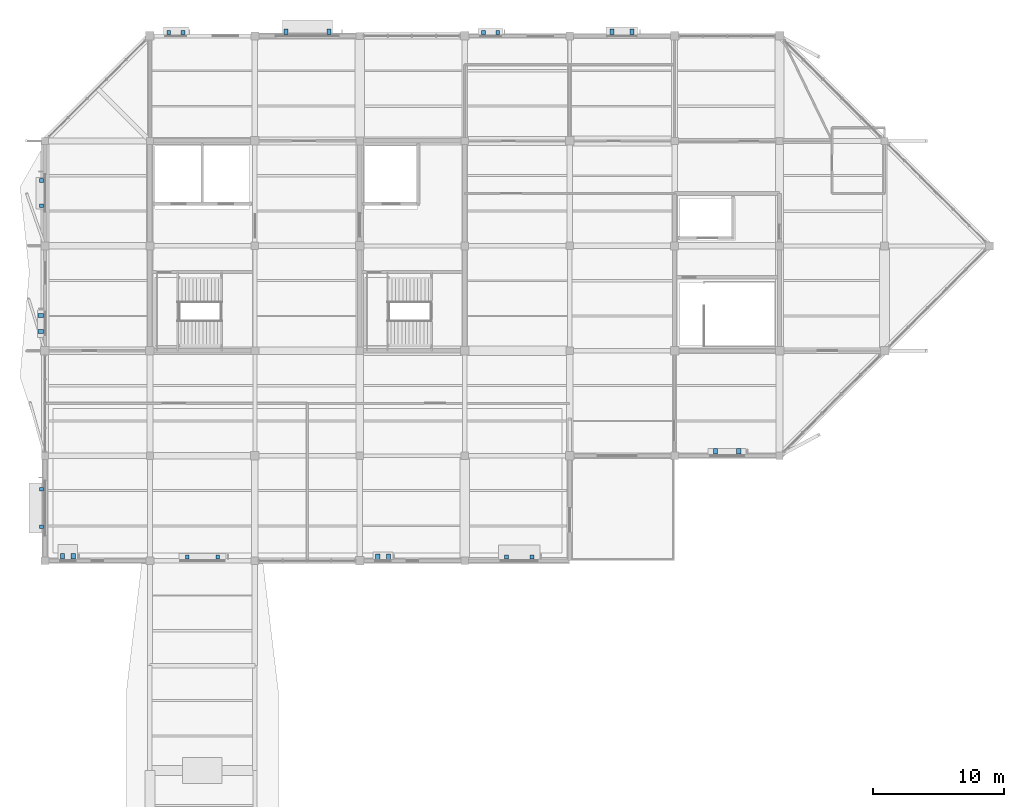
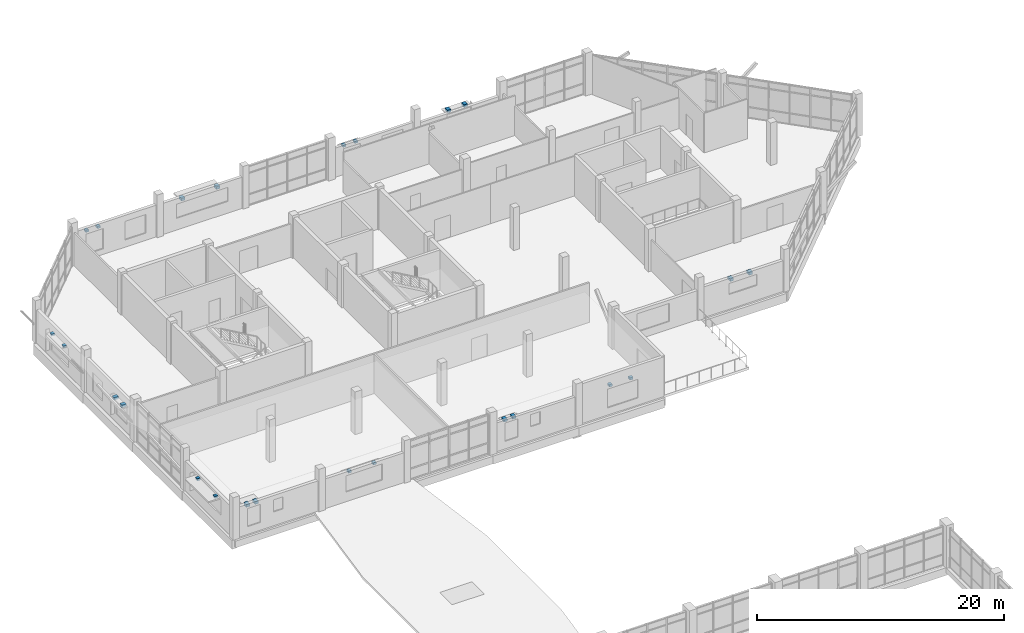
# One storey, part 68 of 72: 24 discrete accessories.
"""IFC4 building model written with IfcOpenShell, lengths in metres."""

from ifc_helpers import new_model, si_unit, direction, frame, origin, origin_2d, place, context, subcontext, project, spatial, rectangle, extrude, material, type_object, element, save


model = new_model("IFC4")

# Units and contexts
model_context = context("Model", 3, precision=1e-05, world=origin(), true_north=direction((0.0, 1.0)))
body_context = subcontext(model_context, "Body", "Model", "MODEL_VIEW")
ifc_project = project(units=[si_unit("LENGTHUNIT", "METRE"), si_unit("AREAUNIT", "SQUARE_METRE"), si_unit("VOLUMEUNIT", "CUBIC_METRE"), si_unit("PLANEANGLEUNIT", "RADIAN"), si_unit("MASSUNIT", "GRAM", prefix="KILO")], contexts=[model_context])

# Site, building, storey
site_placement = place(None, origin())
site = spatial("IfcSite", under=ifc_project, at=site_placement, CompositionType="ELEMENT")
building_placement = place(site_placement, origin())
building = spatial("IfcBuilding", under=site, at=building_placement, Name="Tenunan Teduh Sports Hall", CompositionType="ELEMENT")
storey_placement = place(building_placement, frame((0.0, 0.0, 15.0)))
storey = spatial("IfcBuildingStorey", under=building, at=storey_placement, Name="L03", CompositionType="ELEMENT", Elevation=15.0)

# Discrete accessories
ifc_material_1 = material(Name="Steel S355", Category="steel")
discrete_accessory_type_1 = type_object("IfcDiscreteAccessoryType", Name="BRK-SHD-1", PredefinedType="BRACKET", material=ifc_material_1)
for number, where, z_axis, x_axis, name in (
    (1, (16.85400390625, 78.27001953125, 2.5), (0.0, 0.0, 1.0), (1.0, 0.0, 0.0), "BRK-L03-054-1"),
    (2, (19.166015625, 78.27001953125, 2.5), (0.0, 0.0, 1.0), (1.0, 0.0, 0.0), "BRK-L03-054-2"),
    (3, (41.18603515625, 78.27001953125, 2.5), (0.0, 0.0, 1.0), (1.0, 0.0, 0.0), "BRK-L03-056-1"),
    (4, (43.1240234375, 78.27001953125, 2.5), (0.0, 0.0, 1.0), (1.0, 0.0, 0.0), "BRK-L03-056-2"),
    (5, (15.430908203125, 118.27490234375, 2.5), (0.0, 0.0, 1.0), (1.0, 0.0, 0.0), "BRK-L03-058-1"),
    (6, (16.51904296875, 118.27490234375, 2.5), (0.0, 0.0, 1.0), (1.0, 0.0, 0.0), "BRK-L03-058-2"),
    (7, (39.430908203125, 118.2548828125, 2.5), (0.0, 0.0, 1.0), (1.0, 0.0, 0.0), "BRK-L03-060-1"),
    (8, (40.51904296875, 118.2548828125, 2.5), (0.0, 0.0, 1.0), (1.0, 0.0, 0.0), "BRK-L03-060-2"),
    (9, (5.72998046875, 80.58203125, 2.5), (0.0, 0.0, 1.0), (0.0, 1.0, 0.0), "BRK-L03-062-1"),
    (10, (5.72998046875, 83.43798828125, 2.5), (0.0, 0.0, 1.0), (0.0, 1.0, 0.0), "BRK-L03-062-2"),
    (11, (5.72998046875, 105.0458984375, 2.5), (0.0, 0.0, 1.0), (0.0, 1.0, 0.0), "BRK-L03-064-1"),
    (12, (5.72998046875, 106.98388671875, 2.5), (0.0, 0.0, 1.0), (0.0, 1.0, 0.0), "BRK-L03-064-2"),
):
    element("IfcDiscreteAccessory", number, at=place(storey_placement, frame(where, z_axis=z_axis, x_axis=x_axis)), inside=storey, type_object=discrete_accessory_type_1, Name=name, PredefinedType="BRACKET", context=body_context, shape_type="SweptSolid", body=[
        extrude(rectangle(XDim=0.280029296875, YDim=0.300048828125, at=origin_2d()), origin(), (0.0, 0.0, 1.0), 0.219970703125),
    ])
ifc_material_2 = material(Name="Steel S355", Category="steel")
discrete_accessory_type_2 = type_object("IfcDiscreteAccessoryType", Name="BRK-SHD-2", PredefinedType="BRACKET", material=ifc_material_2)
for number, where, z_axis, x_axis, name in (
    (13, (7.342041015625, 78.3349609375, 2.47998046875), (0.0, 0.0, 1.0), (1.0, 0.0, 0.0), "BRK-L03-053-1"),
    (14, (8.157958984375, 78.3349609375, 2.47998046875), (0.0, 0.0, 1.0), (1.0, 0.0, 0.0), "BRK-L03-053-2"),
    (15, (31.366943359375, 78.31494140625, 2.47998046875), (0.0, 0.0, 1.0), (1.0, 0.0, 0.0), "BRK-L03-055-1"),
    (16, (32.18310546875, 78.31494140625, 2.47998046875), (0.0, 0.0, 1.0), (1.0, 0.0, 0.0), "BRK-L03-055-2"),
    (17, (57.12109375, 86.330078125, 2.47998046875), (0.0, 0.0, 1.0), (1.0, 0.0, 0.0), "BRK-L03-057-1"),
    (18, (58.888916015625, 86.330078125, 2.47998046875), (0.0, 0.0, 1.0), (1.0, 0.0, 0.0), "BRK-L03-057-2"),
    (19, (24.3779296875, 118.330078125, 2.47998046875), (0.0, 0.0, 1.0), (1.0, 0.0, 0.0), "BRK-L03-059-1"),
    (20, (27.64208984375, 118.330078125, 2.47998046875), (0.0, 0.0, 1.0), (1.0, 0.0, 0.0), "BRK-L03-059-2"),
    (21, (49.219970703125, 118.330078125, 2.47998046875), (0.0, 0.0, 1.0), (1.0, 0.0, 0.0), "BRK-L03-061-1"),
    (22, (50.75, 118.330078125, 2.47998046875), (0.0, 0.0, 1.0), (1.0, 0.0, 0.0), "BRK-L03-061-2"),
    (23, (5.68505859375, 95.462890625, 2.47998046875), (0.0, 0.0, 1.0), (0.0, 1.0, 0.0), "BRK-L03-063-1"),
    (24, (5.68505859375, 96.68701171875, 2.47998046875), (0.0, 0.0, 1.0), (0.0, 1.0, 0.0), "BRK-L03-063-2"),
):
    element("IfcDiscreteAccessory", number, at=place(storey_placement, frame(where, z_axis=z_axis, x_axis=x_axis)), inside=storey, type_object=discrete_accessory_type_2, Name=name, PredefinedType="BRACKET", context=body_context, shape_type="SweptSolid", body=[
        extrude(rectangle(XDim=0.320068359375, YDim=0.419921875, at=origin_2d()), origin(), (0.0, 0.0, 1.0), 0.260009765625),
    ])

save(model, "model.ifc")
